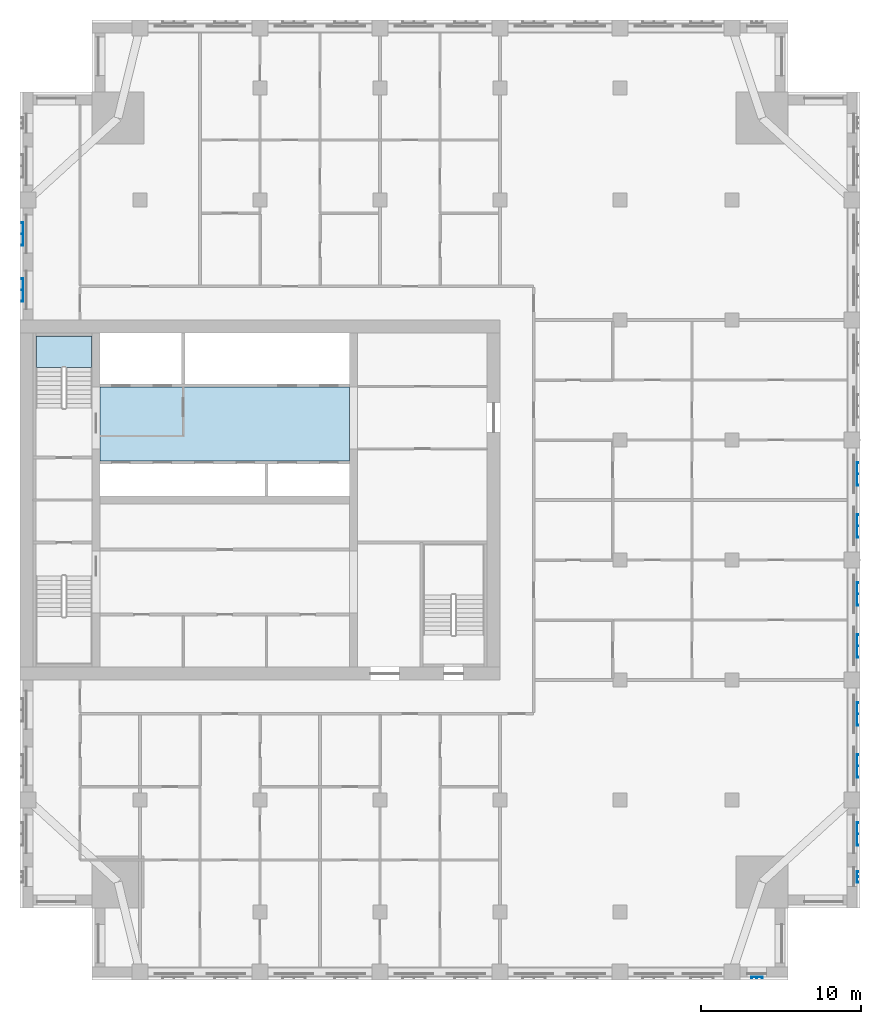
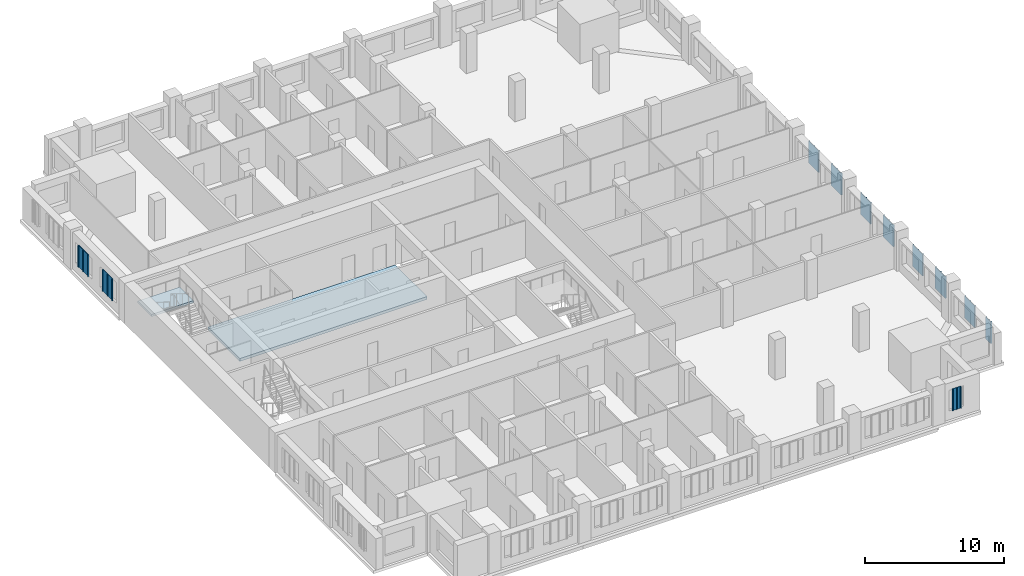
# One storey, part 4 of 14: 11 plates, 2 slabs, 1 element without a shape of its own.
"""IFC4 building model written with IfcOpenShell, lengths in metres."""

from ifc_helpers import new_model, si_unit, direction, frame, origin, place, context, subcontext, project, spatial, polyline, outline, extrude, material, layer, layer_set, type_object, element, aggregate, save


model = new_model("IFC4")

# Units and contexts
model_context = context("Model", 3, precision=1e-05, world=origin(), true_north=direction((0.0, 1.0)))
body_context = subcontext(model_context, "Body", "Model", "MODEL_VIEW")
ifc_project = project(units=[si_unit("LENGTHUNIT", "METRE"), si_unit("AREAUNIT", "SQUARE_METRE"), si_unit("VOLUMEUNIT", "CUBIC_METRE"), si_unit("PLANEANGLEUNIT", "RADIAN"), si_unit("MASSUNIT", "GRAM", prefix="KILO")], contexts=[model_context])

# Site, building, storey
site_placement = place(None, origin())
site = spatial("IfcSite", under=ifc_project, at=site_placement, CompositionType="ELEMENT")
building_placement = place(site_placement, origin())
building = spatial("IfcBuilding", under=site, at=building_placement, Name="Tamorin Gate", CompositionType="ELEMENT")
storey_placement = place(building_placement, frame((0.0, 0.0, 207.199951171875)))
storey = spatial("IfcBuildingStorey", under=building, at=storey_placement, Name="L51", CompositionType="ELEMENT", Elevation=207.199951171875)

# Slab
ifc_material_1 = material(Name="Concrete C40/50", Category="concrete")
ifc_layer_1 = layer(ifc_material_1, 0.25)
ifc_layer_set_1 = layer_set([ifc_layer_1], Name="Core floor slab 250 C40/50")
slab_type_1 = type_object("IfcSlabType", Name="Core floor slab 250 C40/50", PredefinedType="FLOOR", material=ifc_layer_set_1)
slab_1_placement = place(storey_placement, frame((0.0, 0.0, -0.25)))
element("IfcSlab", 1, at=slab_1_placement, inside=storey, type_object=slab_type_1, Name="Core floor L51", PredefinedType="FLOOR", context=body_context, shape_type="SweptSolid", body=[
    extrude(outline(polyline([(50.60009765625, 73.699951171875), (35.0, 73.699951171875), (35.0, 78.300048828125), (50.60009765625, 78.300048828125), (50.60009765625, 73.699951171875)])), origin(), (0.0, 0.0, 1.0), 0.25),
])

# Stair, slab
stair_type = type_object("IfcStairType", Name="Exit stair", PredefinedType="HALF_TURN_STAIR", material=ifc_material_1)
stair_placement = place(storey_placement, origin())
stair = element("IfcStair", 2, at=stair_placement, inside=storey, type_object=stair_type, Name="L51 stair ST2", PredefinedType="HALF_TURN_STAIR")
ifc_layer_2 = layer(ifc_material_1, 0.199951171875)
ifc_layer_set_2 = layer_set([ifc_layer_2], Name="Exit stair landing 200")
slab_type_2 = type_object("IfcSlabType", Name="Exit stair landing 200", PredefinedType="LANDING", material=ifc_layer_set_2)
slab_2_placement = place(storey_placement, frame((0.0, 0.0, 1.550048828125)))
slab_2 = element("IfcSlab", 3, at=slab_2_placement, type_object=slab_type_2, Name="ST2 landing 1", PredefinedType="LANDING", context=body_context, shape_type="SweptSolid", body=[
    extrude(outline(polyline([(34.5, 79.52001953125), (34.5, 81.5), (31.0, 81.5), (31.0, 79.52001953125), (34.5, 79.52001953125)])), origin(), (0.0, 0.0, 1.0), 0.199951171875),
])
aggregate(stair, [slab_2])

# Plates
ifc_material_2 = material(Name="Perforated pale aluminium sheet", Category="aluminium")
ifc_layer_3 = layer(ifc_material_2, 0.0400390625)
ifc_layer_set_3 = layer_set([ifc_layer_3], Name="Pale metal solar screen 1440")
plate_type_1 = type_object("IfcPlateType", Name="Pale metal solar screen 1440", PredefinedType="SHEET", material=ifc_layer_set_3)
plate_1_placement = place(storey_placement, frame((0.0, 0.0, 0.737548828125)))
element("IfcPlate", 4, at=plate_1_placement, inside=storey, type_object=plate_type_1, Name="Perforated solar screen", PredefinedType="SHEET", context=body_context, shape_type="SweptSolid", body=[
    extrude(outline(polyline([(82.340087890625, 49.655029296875), (82.300048828125, 49.655029296875), (82.300048828125, 49.715087890625), (82.300048828125, 50.344970703125), (82.300048828125, 50.405029296875), (82.300048828125, 51.034912109375), (82.300048828125, 51.094970703125), (82.300048828125, 51.094970703125), (82.340087890625, 51.094970703125), (82.340087890625, 51.094970703125), (82.39990234375, 51.094970703125), (82.39990234375, 51.034912109375), (82.340087890625, 51.034912109375), (82.340087890625, 50.405029296875), (82.39990234375, 50.405029296875), (82.39990234375, 50.344970703125), (82.340087890625, 50.344970703125), (82.340087890625, 49.715087890625), (82.39990234375, 49.715087890625), (82.39990234375, 49.655029296875), (82.340087890625, 49.655029296875)])), origin(), (0.0, 0.0, 1.0), 1.925048828125),
])
plate_2_placement = place(storey_placement, frame((0.0, 0.0, 0.737548828125)))
element("IfcPlate", 5, at=plate_2_placement, inside=storey, type_object=plate_type_1, Name="Perforated solar screen", PredefinedType="SHEET", context=body_context, shape_type="SweptSolid", body=[
    extrude(outline(polyline([(82.340087890625, 53.905029296875), (82.300048828125, 53.905029296875), (82.300048828125, 53.965087890625), (82.300048828125, 54.594970703125), (82.300048828125, 54.655029296875), (82.300048828125, 55.284912109375), (82.300048828125, 55.344970703125), (82.340087890625, 55.344970703125), (82.39990234375, 55.344970703125), (82.39990234375, 55.284912109375), (82.340087890625, 55.284912109375), (82.340087890625, 54.655029296875), (82.39990234375, 54.655029296875), (82.39990234375, 54.594970703125), (82.340087890625, 54.594970703125), (82.340087890625, 53.965087890625), (82.39990234375, 53.965087890625), (82.39990234375, 53.905029296875), (82.340087890625, 53.905029296875)])), origin(), (0.0, 0.0, 1.0), 1.925048828125),
])
plate_3_placement = place(storey_placement, frame((0.0, 0.0, 0.737548828125)))
element("IfcPlate", 6, at=plate_3_placement, inside=storey, type_object=plate_type_1, Name="Perforated solar screen", PredefinedType="SHEET", context=body_context, shape_type="SweptSolid", body=[
    extrude(outline(polyline([(82.340087890625, 57.155029296875), (82.300048828125, 57.155029296875), (82.300048828125, 57.215087890625), (82.300048828125, 57.844970703125), (82.300048828125, 57.905029296875), (82.300048828125, 58.534912109375), (82.300048828125, 58.594970703125), (82.340087890625, 58.594970703125), (82.39990234375, 58.594970703125), (82.39990234375, 58.534912109375), (82.340087890625, 58.534912109375), (82.340087890625, 57.905029296875), (82.39990234375, 57.905029296875), (82.39990234375, 57.844970703125), (82.340087890625, 57.844970703125), (82.340087890625, 57.215087890625), (82.39990234375, 57.215087890625), (82.39990234375, 57.155029296875), (82.340087890625, 57.155029296875)])), origin(), (0.0, 0.0, 1.0), 1.925048828125),
])
plate_4_placement = place(storey_placement, frame((0.0, 0.0, 0.737548828125)))
element("IfcPlate", 7, at=plate_4_placement, inside=storey, type_object=plate_type_1, Name="Perforated solar screen", PredefinedType="SHEET", context=body_context, shape_type="SweptSolid", body=[
    extrude(outline(polyline([(82.340087890625, 61.405029296875), (82.300048828125, 61.405029296875), (82.300048828125, 61.465087890625), (82.300048828125, 62.094970703125), (82.300048828125, 62.155029296875), (82.300048828125, 62.784912109375), (82.300048828125, 62.844970703125), (82.340087890625, 62.844970703125), (82.39990234375, 62.844970703125), (82.39990234375, 62.784912109375), (82.340087890625, 62.784912109375), (82.340087890625, 62.155029296875), (82.39990234375, 62.155029296875), (82.39990234375, 62.094970703125), (82.340087890625, 62.094970703125), (82.340087890625, 61.465087890625), (82.39990234375, 61.465087890625), (82.39990234375, 61.405029296875), (82.340087890625, 61.405029296875)])), origin(), (0.0, 0.0, 1.0), 1.925048828125),
])
plate_5_placement = place(storey_placement, frame((0.0, 0.0, 0.737548828125)))
element("IfcPlate", 8, at=plate_5_placement, inside=storey, type_object=plate_type_1, Name="Perforated solar screen", PredefinedType="SHEET", context=body_context, shape_type="SweptSolid", body=[
    extrude(outline(polyline([(82.340087890625, 64.655029296875), (82.300048828125, 64.655029296875), (82.300048828125, 64.715087890625), (82.300048828125, 65.344970703125), (82.300048828125, 65.405029296875), (82.300048828125, 66.034912109375), (82.300048828125, 66.094970703125), (82.340087890625, 66.094970703125), (82.39990234375, 66.094970703125), (82.39990234375, 66.034912109375), (82.340087890625, 66.034912109375), (82.340087890625, 65.405029296875), (82.39990234375, 65.405029296875), (82.39990234375, 65.344970703125), (82.340087890625, 65.344970703125), (82.340087890625, 64.715087890625), (82.39990234375, 64.715087890625), (82.39990234375, 64.655029296875), (82.340087890625, 64.655029296875)])), origin(), (0.0, 0.0, 1.0), 1.925048828125),
])
plate_6_placement = place(storey_placement, frame((0.0, 0.0, 0.737548828125)))
element("IfcPlate", 9, at=plate_6_placement, inside=storey, type_object=plate_type_1, Name="Perforated solar screen", PredefinedType="SHEET", context=body_context, shape_type="SweptSolid", body=[
    extrude(outline(polyline([(82.340087890625, 68.905029296875), (82.300048828125, 68.905029296875), (82.300048828125, 68.965087890625), (82.300048828125, 69.594970703125), (82.300048828125, 69.655029296875), (82.300048828125, 70.284912109375), (82.300048828125, 70.344970703125), (82.340087890625, 70.344970703125), (82.39990234375, 70.344970703125), (82.39990234375, 70.284912109375), (82.340087890625, 70.284912109375), (82.340087890625, 69.655029296875), (82.39990234375, 69.655029296875), (82.39990234375, 69.594970703125), (82.340087890625, 69.594970703125), (82.340087890625, 68.965087890625), (82.39990234375, 68.965087890625), (82.39990234375, 68.905029296875), (82.340087890625, 68.905029296875)])), origin(), (0.0, 0.0, 1.0), 1.925048828125),
])
plate_7_placement = place(storey_placement, frame((0.0, 0.0, 0.737548828125)))
element("IfcPlate", 10, at=plate_7_placement, inside=storey, type_object=plate_type_1, Name="Perforated solar screen", PredefinedType="SHEET", context=body_context, shape_type="SweptSolid", body=[
    extrude(outline(polyline([(82.340087890625, 72.155029296875), (82.300048828125, 72.155029296875), (82.300048828125, 72.215087890625), (82.300048828125, 72.844970703125), (82.300048828125, 72.905029296875), (82.300048828125, 73.534912109375), (82.300048828125, 73.594970703125), (82.340087890625, 73.594970703125), (82.39990234375, 73.594970703125), (82.39990234375, 73.534912109375), (82.340087890625, 73.534912109375), (82.340087890625, 72.905029296875), (82.39990234375, 72.905029296875), (82.39990234375, 72.844970703125), (82.340087890625, 72.844970703125), (82.340087890625, 72.215087890625), (82.39990234375, 72.215087890625), (82.39990234375, 72.155029296875), (82.340087890625, 72.155029296875)])), origin(), (0.0, 0.0, 1.0), 1.925048828125),
])
plate_8_placement = place(storey_placement, frame((0.0, 0.0, 0.737548828125)))
element("IfcPlate", 11, at=plate_8_placement, inside=storey, type_object=plate_type_1, Name="Perforated solar screen", PredefinedType="SHEET", context=body_context, shape_type="SweptSolid", body=[
    extrude(outline(polyline([(30.159912109375, 85.094970703125), (30.199951171875, 85.094970703125), (30.199951171875, 85.034912109375), (30.199951171875, 84.405029296875), (30.199951171875, 84.344970703125), (30.199951171875, 83.715087890625), (30.199951171875, 83.655029296875), (30.159912109375, 83.655029296875), (30.10009765625, 83.655029296875), (30.10009765625, 83.715087890625), (30.159912109375, 83.715087890625), (30.159912109375, 84.344970703125), (30.10009765625, 84.344970703125), (30.10009765625, 84.405029296875), (30.159912109375, 84.405029296875), (30.159912109375, 85.034912109375), (30.10009765625, 85.034912109375), (30.10009765625, 85.094970703125), (30.159912109375, 85.094970703125)])), origin(), (0.0, 0.0, 1.0), 1.925048828125),
])
plate_9_placement = place(storey_placement, frame((0.0, 0.0, 0.737548828125)))
element("IfcPlate", 12, at=plate_9_placement, inside=storey, type_object=plate_type_1, Name="Perforated solar screen", PredefinedType="SHEET", context=body_context, shape_type="SweptSolid", body=[
    extrude(outline(polyline([(30.159912109375, 88.594970703125), (30.199951171875, 88.594970703125), (30.199951171875, 88.534912109375), (30.199951171875, 87.905029296875), (30.199951171875, 87.844970703125), (30.199951171875, 87.215087890625), (30.199951171875, 87.155029296875), (30.159912109375, 87.155029296875), (30.10009765625, 87.155029296875), (30.10009765625, 87.215087890625), (30.159912109375, 87.215087890625), (30.159912109375, 87.844970703125), (30.10009765625, 87.844970703125), (30.10009765625, 87.905029296875), (30.159912109375, 87.905029296875), (30.159912109375, 88.534912109375), (30.10009765625, 88.534912109375), (30.10009765625, 88.594970703125), (30.159912109375, 88.594970703125)])), origin(), (0.0, 0.0, 1.0), 1.925048828125),
])
ifc_layer_4 = layer(ifc_material_2, 0.0400390625)
ifc_layer_set_4 = layer_set([ifc_layer_4], Name="Pale metal solar screen 720")
plate_type_2 = type_object("IfcPlateType", Name="Pale metal solar screen 720", PredefinedType="SHEET", material=ifc_layer_set_4)
plate_10_placement = place(storey_placement, frame((0.0, 0.0, 0.737548828125)))
element("IfcPlate", 13, at=plate_10_placement, inside=storey, type_object=plate_type_2, Name="Perforated solar screen", PredefinedType="SHEET", context=body_context, shape_type="SweptSolid", body=[
    extrude(outline(polyline([(75.68994140625, 41.409912109375), (75.68994140625, 41.449951171875), (75.75, 41.449951171875), (76.02001953125, 41.449951171875), (76.080078125, 41.449951171875), (76.35009765625, 41.449951171875), (76.409912109375, 41.449951171875), (76.409912109375, 41.409912109375), (76.409912109375, 41.35009765625), (76.35009765625, 41.35009765625), (76.35009765625, 41.409912109375), (76.080078125, 41.409912109375), (76.080078125, 41.35009765625), (76.02001953125, 41.35009765625), (76.02001953125, 41.409912109375), (75.75, 41.409912109375), (75.75, 41.35009765625), (75.68994140625, 41.35009765625), (75.68994140625, 41.409912109375)])), origin(), (0.0, 0.0, 1.0), 1.925048828125),
])
plate_11_placement = place(storey_placement, frame((0.0, 0.0, 0.737548828125)))
element("IfcPlate", 14, at=plate_11_placement, inside=storey, type_object=plate_type_2, Name="Perforated solar screen", PredefinedType="SHEET", context=body_context, shape_type="SweptSolid", body=[
    extrude(outline(polyline([(82.340087890625, 47.340087890625), (82.300048828125, 47.340087890625), (82.300048828125, 47.39990234375), (82.300048828125, 47.669921875), (82.300048828125, 47.72998046875), (82.300048828125, 48.0), (82.300048828125, 48.06005859375), (82.340087890625, 48.06005859375), (82.39990234375, 48.06005859375), (82.39990234375, 48.0), (82.340087890625, 48.0), (82.340087890625, 47.72998046875), (82.39990234375, 47.72998046875), (82.39990234375, 47.669921875), (82.340087890625, 47.669921875), (82.340087890625, 47.39990234375), (82.39990234375, 47.39990234375), (82.39990234375, 47.340087890625), (82.340087890625, 47.340087890625)])), origin(), (0.0, 0.0, 1.0), 1.925048828125),
])

save(model, "model.ifc")
